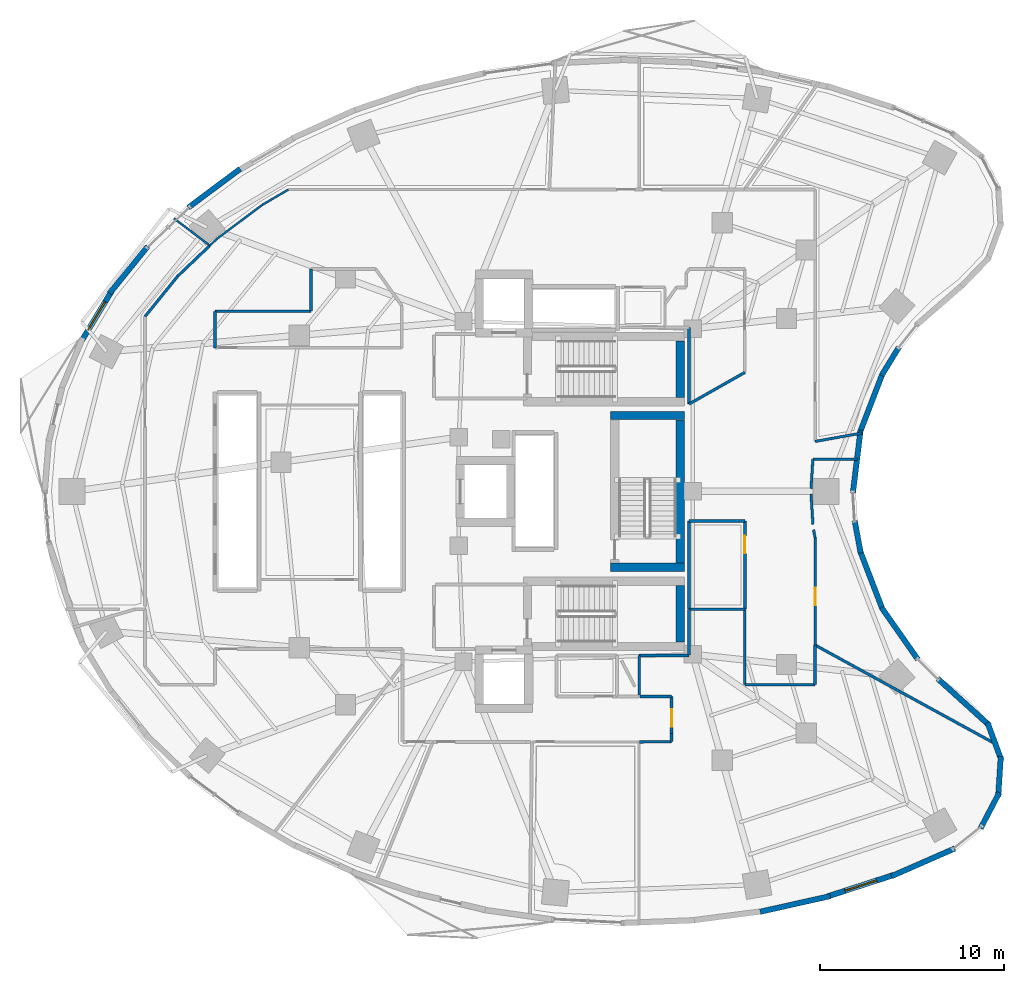
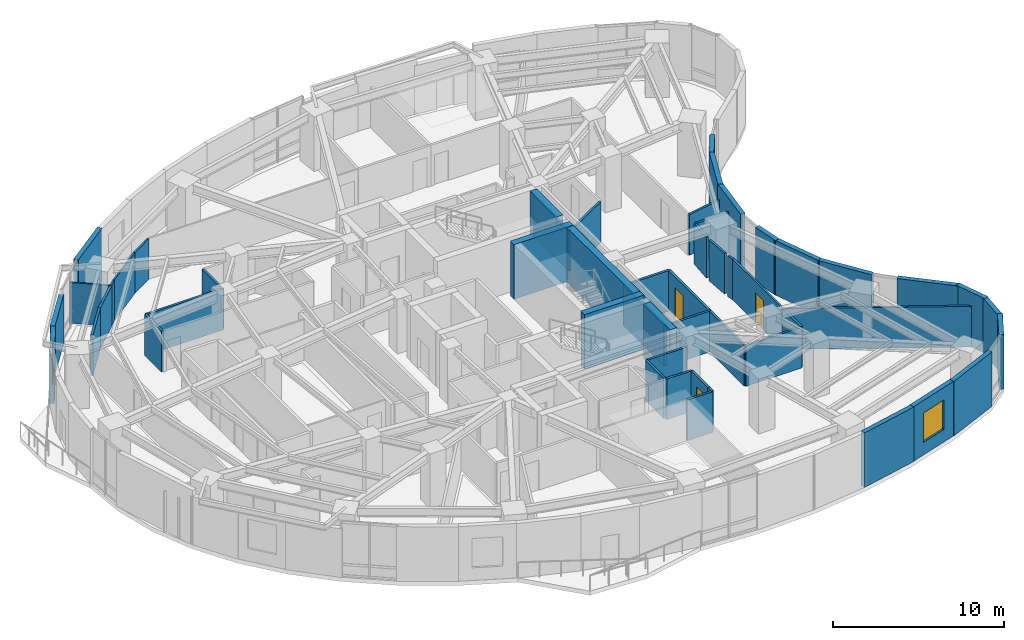
# One storey, part 10 of 15: 53 walls, 3 doors, 2 windows, 5 openings.
"""IFC4 building model written with IfcOpenShell, lengths in metres."""

from ifc_helpers import new_model, si_unit, direction, frame, frame_2d, origin, place, context, subcontext, project, spatial, rectangle, extrude, material, layer, layer_set, type_object, element, fill, save


model = new_model("IFC4")

# Units and contexts
model_context = context("Model", 3, precision=1e-05, world=origin(), true_north=direction((0.0, 1.0)))
body_context = subcontext(model_context, "Body", "Model", "MODEL_VIEW")
ifc_project = project(units=[si_unit("LENGTHUNIT", "METRE"), si_unit("AREAUNIT", "SQUARE_METRE"), si_unit("VOLUMEUNIT", "CUBIC_METRE"), si_unit("PLANEANGLEUNIT", "RADIAN"), si_unit("MASSUNIT", "GRAM", prefix="KILO")], contexts=[model_context])

# Site, building, storey
site_placement = place(None, origin())
site = spatial("IfcSite", under=ifc_project, at=site_placement, CompositionType="ELEMENT")
building_placement = place(site_placement, origin())
building = spatial("IfcBuilding", under=site, at=building_placement, Name="Korentha Bioscience Tower", CompositionType="ELEMENT")
storey_placement = place(building_placement, frame((0.0, 0.0, 42.60009765625)))
storey = spatial("IfcBuildingStorey", under=building, at=storey_placement, Name="L09", CompositionType="ELEMENT", Elevation=42.60009765625)

# Wall, opening, door
ifc_material_1 = material(Name="Double-Stud Acoustic Gypsum", Category="gypsum")
ifc_layer_1 = layer(ifc_material_1, 0.14990234375, Name="Double-Stud Acoustic Gypsum")
ifc_layer_set_1 = layer_set([ifc_layer_1], Name="Double-Stud Acoustic Gypsum (IW-L150)")
wall_type_1 = type_object("IfcWallType", Name="Acoustic Laboratory Partition Wall 150", PredefinedType="PARTITIONING", material=ifc_layer_set_1)
wall_1_placement = place(storey_placement, frame((36.409912109375, 13.85009765625, 0.0), z_axis=(0.0, 0.0, 1.0), x_axis=(0.0, 1.0, 0.0)))
wall_1 = element("IfcWall", 1, at=wall_1_placement, inside=storey, type_object=wall_type_1, Name="L09 Researchers' Wellness Quiet Room 06 Entrance Wall", PredefinedType="PARTITIONING", context=body_context, shape_type="SweptSolid", body=[
    extrude(rectangle(XDim=2.0, YDim=0.14990234375, at=frame_2d((1.0, 0.0))), origin(), (0.0, 0.0, 1.0), 2.909912109375),
])
opening_1_placement = place(wall_1_placement, frame((0.37451171875, 0.0, 0.0)))
opening_1 = element("IfcOpeningElement", 2, at=opening_1_placement, cuts=wall_1, Name="Opening ID-10L", PredefinedType="OPENING", context=body_context, shape_type="SweptSolid", body=[
    extrude(rectangle(XDim=0.949951171875, YDim=2.14990234375, at=frame_2d((0.47509765625, 1.074951171875))), frame((0.0, 0.08984375, 0.0), z_axis=(0.0, -1.0, 0.0), x_axis=(1.0, 0.0, 0.0)), (0.0, 0.0, 1.0), 0.1796875),
])
ifc_material_2 = material(Name="Phenolic Laminate Timber Core", Category="wood")
door_type_1 = type_object("IfcDoorType", Name="Laboratory Single Leaf Door 950x2150 Left", OperationType="SINGLE_SWING_LEFT", PredefinedType="DOOR", material=ifc_material_2)
door_1_placement = place(opening_1_placement, origin())
door_1 = element("IfcDoor", 3, at=door_1_placement, inside=storey, type_object=door_type_1, Name="L09 Researchers' Wellness Quiet Room 06 Door", OperationType="SINGLE_SWING_LEFT", OverallHeight=2.14990234375, OverallWidth=0.949951171875, PredefinedType="DOOR", context=body_context, shape_type="SweptSolid", body=[
    extrude(rectangle(XDim=0.949951171875, YDim=2.14990234375, at=frame_2d((0.47509765625, 1.074951171875))), frame((0.0, 0.02490234375, 0.0), z_axis=(0.0, -1.0, 0.0), x_axis=(1.0, 0.0, 0.0)), (0.0, 0.0, 1.0), 0.050048828125),
])
fill(opening_1, door_1)

# Walls
wall_2_placement = place(storey_placement, frame((34.652099609375, 15.94970703125, 0.0), z_axis=(0.0, 0.0, 1.0), x_axis=(0.0, 1.0, 0.0)))
element("IfcWall", 4, at=wall_2_placement, inside=storey, type_object=wall_type_1, Name="L09 Interior Partition 037", PredefinedType="PARTITIONING", context=body_context, shape_type="SweptSolid", body=[
    extrude(rectangle(XDim=2.140380859375, YDim=0.14990234375, at=frame_2d((1.0703125, 0.0))), origin(), (0.0, 0.0, 1.0), 2.909912109375),
])
wall_3_placement = place(storey_placement, frame((34.652099609375, 18.090087890625, 0.0), z_axis=(0.0, 0.0, 1.0), x_axis=(1.0, 0.0, 0.0)))
element("IfcWall", 5, at=wall_3_placement, inside=storey, type_object=wall_type_1, Name="L09 Interior Partition 038", PredefinedType="PARTITIONING", context=body_context, shape_type="SweptSolid", body=[
    extrude(rectangle(XDim=2.697998046875, YDim=0.14990234375, at=frame_2d((1.34912109375, 0.0))), origin(), (0.0, 0.0, 1.0), 2.909912109375),
])
wall_4_placement = place(storey_placement, frame((37.360107421875, 18.10009765625, 0.0), z_axis=(0.0, 0.0, 1.0), x_axis=(0.0, 1.0, 0.0)))
element("IfcWall", 6, at=wall_4_placement, inside=storey, type_object=wall_type_1, Name="L09 Interior Partition 039", PredefinedType="PARTITIONING", context=body_context, shape_type="SweptSolid", body=[
    extrude(rectangle(XDim=2.497802734375, YDim=0.14990234375, at=frame_2d((1.2490234375, 0.0))), origin(), (0.0, 0.0, 1.0), 2.909912109375),
])
wall_5_placement = place(storey_placement, frame((37.360107421875, 20.597900390625, 0.0), z_axis=(0.0, 0.0, 1.0), x_axis=(1.0, 0.0, 0.0)))
element("IfcWall", 7, at=wall_5_placement, inside=storey, type_object=wall_type_1, Name="L09 Interior Partition 040", PredefinedType="PARTITIONING", context=body_context, shape_type="SweptSolid", body=[
    extrude(rectangle(XDim=3.02978515625, YDim=0.14990234375, at=frame_2d((1.514892578125, 0.0))), origin(), (0.0, 0.0, 1.0), 2.909912109375),
])
wall_6_placement = place(storey_placement, frame((40.389892578125, 20.597900390625, 0.0), z_axis=(0.0, 0.0, 1.0), x_axis=(0.0, -1.0, 0.0)))
element("IfcWall", 8, at=wall_6_placement, inside=storey, type_object=wall_type_1, Name="L09 Interior Partition 041", PredefinedType="PARTITIONING", context=body_context, shape_type="SweptSolid", body=[
    extrude(rectangle(XDim=4.097900390625, YDim=0.14990234375, at=frame_2d((2.048828125, 0.0))), origin(), (0.0, 0.0, 1.0), 2.909912109375),
])
wall_7_placement = place(storey_placement, frame((40.39990234375, 16.489990234375, 0.0), z_axis=(0.0, 0.0, 1.0), x_axis=(1.0, 0.0, 0.0)))
element("IfcWall", 9, at=wall_7_placement, inside=storey, type_object=wall_type_1, Name="L09 Interior Partition 042", PredefinedType="PARTITIONING", context=body_context, shape_type="SweptSolid", body=[
    extrude(rectangle(XDim=3.800048828125, YDim=0.14990234375, at=frame_2d((1.89990234375, 0.0))), origin(), (0.0, 0.0, 1.0), 2.909912109375),
])
wall_8_placement = place(storey_placement, frame((44.2099609375, 16.5, 0.0), z_axis=(0.0, 0.0, 1.0), x_axis=(0.0, 1.0, 0.0)))
element("IfcWall", 10, at=wall_8_placement, inside=storey, type_object=wall_type_1, Name="L09 Interior Partition 043", PredefinedType="PARTITIONING", context=body_context, shape_type="SweptSolid", body=[
    extrude(rectangle(XDim=2.151123046875, YDim=0.14990234375, at=frame_2d((1.07568359375, 0.0))), origin(), (0.0, 0.0, 1.0), 2.909912109375),
])
wall_9_placement = place(storey_placement, frame((44.2099609375, 18.651123046875, 0.0), z_axis=(0.0, 0.0, 1.0), x_axis=(0.877020479267, -0.480452993483, 0.0)))
element("IfcWall", 11, at=wall_9_placement, inside=storey, type_object=wall_type_1, Name="L09 Interior Partition 044", PredefinedType="PARTITIONING", context=body_context, shape_type="SweptSolid", body=[
    extrude(rectangle(XDim=11.2138671875, YDim=0.14990234375, at=frame_2d((5.60693359375, 0.0))), origin(), (0.0, 0.0, 1.0), 2.909912109375),
])
wall_10_placement = place(storey_placement, frame((34.657958984375, 13.389892578125, 0.0), z_axis=(0.0, 0.0, 1.0), x_axis=(0.999983490307, 0.005746226083, 0.0)))
element("IfcWall", 12, at=wall_10_placement, inside=storey, type_object=wall_type_1, Name="L09 Interior Partition 045", PredefinedType="PARTITIONING", context=body_context, shape_type="SweptSolid", body=[
    extrude(rectangle(XDim=1.741943359375, YDim=0.14990234375, at=frame_2d((0.87109375, 0.0))), origin(), (0.0, 0.0, 1.0), 2.909912109375),
])
wall_11_placement = place(storey_placement, frame((36.39990234375, 13.39990234375, 0.0), z_axis=(0.0, 0.0, 1.0), x_axis=(0.0, 1.0, 0.0)))
element("IfcWall", 13, at=wall_11_placement, inside=storey, type_object=wall_type_1, Name="L09 Interior Partition 046", PredefinedType="PARTITIONING", context=body_context, shape_type="SweptSolid", body=[
    extrude(rectangle(XDim=0.440185546875, YDim=0.14990234375, at=frame_2d((0.22021484375, 0.0))), origin(), (0.0, 0.0, 1.0), 2.909912109375),
])
wall_12_placement = place(storey_placement, frame((36.39990234375, 15.860107421875, 0.0), z_axis=(0.0, 0.0, 1.0), x_axis=(-1.0, 0.0, 0.0)))
element("IfcWall", 14, at=wall_12_placement, inside=storey, type_object=wall_type_1, Name="L09 Interior Partition 048", PredefinedType="PARTITIONING", context=body_context, shape_type="SweptSolid", body=[
    extrude(rectangle(XDim=1.705810546875, YDim=0.14990234375, at=frame_2d((0.85302734375, 0.0))), origin(), (0.0, 0.0, 1.0), 2.909912109375),
])
wall_13_placement = place(storey_placement, frame((40.389892578125, 33.468994140625, 0.0), z_axis=(0.0, 0.0, 1.0), x_axis=(-0.870092348199, -0.492888735523, 0.0)))
element("IfcWall", 15, at=wall_13_placement, inside=storey, type_object=wall_type_1, Name="L09 Interior Partition 064", PredefinedType="PARTITIONING", context=body_context, shape_type="SweptSolid", body=[
    extrude(rectangle(XDim=3.482177734375, YDim=0.14990234375, at=frame_2d((1.7412109375, 0.0))), origin(), (0.0, 0.0, 1.0), 2.909912109375),
])
wall_14_placement = place(storey_placement, frame((37.360107421875, 31.752685546875, 0.0), z_axis=(0.0, 0.0, 1.0), x_axis=(0.0, 1.0, 0.0)))
element("IfcWall", 16, at=wall_14_placement, inside=storey, type_object=wall_type_1, Name="L09 Interior Partition 065", PredefinedType="PARTITIONING", context=body_context, shape_type="SweptSolid", body=[
    extrude(rectangle(XDim=4.147216796875, YDim=0.14990234375, at=frame_2d((2.07373046875, 0.0))), origin(), (0.0, 0.0, 1.0), 2.909912109375),
])
wall_15_placement = place(storey_placement, frame((11.590087890625, 34.81005859375, 0.0), z_axis=(0.0, 0.0, 1.0), x_axis=(0.0, 1.0, 0.0)))
element("IfcWall", 17, at=wall_15_placement, inside=storey, type_object=wall_type_1, Name="L09 Interior Partition 075", PredefinedType="PARTITIONING", context=body_context, shape_type="SweptSolid", body=[
    extrude(rectangle(XDim=1.97998046875, YDim=0.14990234375, at=frame_2d((0.989990234375, 0.0))), origin(), (0.0, 0.0, 1.0), 2.909912109375),
])
wall_16_placement = place(storey_placement, frame((11.590087890625, 36.7900390625, 0.0), z_axis=(0.0, 0.0, 1.0), x_axis=(1.0, 0.0, 0.0)))
element("IfcWall", 18, at=wall_16_placement, inside=storey, type_object=wall_type_1, Name="L09 Interior Partition 076", PredefinedType="PARTITIONING", context=body_context, shape_type="SweptSolid", body=[
    extrude(rectangle(XDim=5.2099609375, YDim=0.14990234375, at=frame_2d((2.60498046875, 0.0))), origin(), (0.0, 0.0, 1.0), 2.909912109375),
])
wall_17_placement = place(storey_placement, frame((16.81005859375, 36.800048828125, 0.0), z_axis=(0.0, 0.0, 1.0), x_axis=(0.0, 1.0, 0.0)))
element("IfcWall", 19, at=wall_17_placement, inside=storey, type_object=wall_type_1, Name="L09 Interior Partition 077", PredefinedType="PARTITIONING", context=body_context, shape_type="SweptSolid", body=[
    extrude(rectangle(XDim=2.2900390625, YDim=0.14990234375, at=frame_2d((1.14501953125, 0.0))), origin(), (0.0, 0.0, 1.0), 2.909912109375),
])
wall_18_placement = place(storey_placement, frame((11.306640625, 40.3583984375, 0.0), z_axis=(0.0, 0.0, 1.0), x_axis=(-0.723655021688, -0.690161872017, 0.0)))
element("IfcWall", 20, at=wall_18_placement, inside=storey, type_object=wall_type_1, Name="L09 Interior Partition 080", PredefinedType="PARTITIONING", context=body_context, shape_type="SweptSolid", body=[
    extrude(rectangle(XDim=2.405517578125, YDim=0.14990234375, at=frame_2d((1.20263671875, 0.0))), origin(), (0.0, 0.0, 1.0), 2.909912109375),
])
wall_19_placement = place(storey_placement, frame((9.565185546875, 38.697265625, 0.0), z_axis=(0.0, 0.0, 1.0), x_axis=(-0.629270515505, -0.777186347227, 0.0)))
element("IfcWall", 21, at=wall_19_placement, inside=storey, type_object=wall_type_1, Name="L09 Interior Partition 081", PredefinedType="PARTITIONING", context=body_context, shape_type="SweptSolid", body=[
    extrude(rectangle(XDim=2.8173828125, YDim=0.14990234375, at=frame_2d((1.40869140625, 0.0))), origin(), (0.0, 0.0, 1.0), 2.909912109375),
])

# Wall, opening, door
ifc_material_3 = material(Name="Insulated Aluminium Honeycomb Panel", Category="aluminium")
ifc_layer_2 = layer(ifc_material_3, 0.139892578125, Name="Insulated Aluminium Honeycomb Panel")
ifc_layer_set_2 = layer_set([ifc_layer_2], Name="Insulated Aluminium Honeycomb Panel (IW-F60)")
wall_type_2 = type_object("IfcWallType", Name="Cleanroom Flush Metal Panel Partition 140", PredefinedType="PARTITIONING", material=ifc_layer_set_2)
wall_20_placement = place(storey_placement, frame((44.2099609375, 18.6611328125, 0.0), z_axis=(0.0, 0.0, 1.0), x_axis=(0.0, 1.0, 0.0)))
wall_20 = element("IfcWall", 22, at=wall_20_placement, inside=storey, type_object=wall_type_2, Name="L09 BSL-2 Cell Culture Cleanroom Laboratory 08 Entrance Wall", PredefinedType="PARTITIONING", context=body_context, shape_type="SweptSolid", body=[
    extrude(rectangle(XDim=5.809326171875, YDim=0.139892578125, at=frame_2d((2.90478515625, 0.0))), origin(), (0.0, 0.0, 1.0), 2.909912109375),
])
opening_2_placement = place(wall_20_placement, frame((2.160888671875, 0.0, 0.0)))
opening_2 = element("IfcOpeningElement", 23, at=opening_2_placement, cuts=wall_20, Name="Opening ID-10L", PredefinedType="OPENING", context=body_context, shape_type="SweptSolid", body=[
    extrude(rectangle(XDim=0.949951171875, YDim=2.14990234375, at=frame_2d((0.47509765625, 1.074951171875))), frame((0.0, 0.0849609375, 0.0), z_axis=(0.0, -1.0, 0.0), x_axis=(1.0, 0.0, 0.0)), (0.0, 0.0, 1.0), 0.169677734375),
])
door_2_placement = place(opening_2_placement, origin())
door_2 = element("IfcDoor", 24, at=door_2_placement, inside=storey, type_object=door_type_1, Name="L09 BSL-2 Cell Culture Cleanroom Laboratory 08 Door", OperationType="SINGLE_SWING_LEFT", OverallHeight=2.14990234375, OverallWidth=0.949951171875, PredefinedType="DOOR", context=body_context, shape_type="SweptSolid", body=[
    extrude(rectangle(XDim=0.949951171875, YDim=2.14990234375, at=frame_2d((0.47509765625, 1.074951171875))), frame((0.0, 0.02490234375, 0.0), z_axis=(0.0, -1.0, 0.0), x_axis=(1.0, 0.0, 0.0)), (0.0, 0.0, 1.0), 0.050048828125),
])
fill(opening_2, door_2)

# Walls
wall_21_placement = place(storey_placement, frame((44.209716796875, 24.47216796875, 0.0), z_axis=(0.0, 0.0, 1.0), x_axis=(-0.181936414242, 0.983310297502, 0.0)))
element("IfcWall", 25, at=wall_21_placement, inside=storey, type_object=wall_type_2, Name="L09 Interior Partition 053", PredefinedType="PARTITIONING", context=body_context, shape_type="SweptSolid", body=[
    extrude(rectangle(XDim=0.45751953125, YDim=0.139892578125, at=frame_2d((0.228759765625, 0.0))), origin(), (0.0, 0.0, 1.0), 2.909912109375),
])
wall_22_placement = place(storey_placement, frame((44.090087890625, 25.217041015625, 0.0), z_axis=(0.0, 0.0, 1.0), x_axis=(-0.060976688407, 0.998139190429, 0.0)))
element("IfcWall", 26, at=wall_22_placement, inside=storey, type_object=wall_type_2, Name="L09 Interior Partition 054", PredefinedType="PARTITIONING", context=body_context, shape_type="SweptSolid", body=[
    extrude(rectangle(XDim=1.637451171875, YDim=0.139892578125, at=frame_2d((0.81884765625, 0.0))), origin(), (0.0, 0.0, 1.0), 2.909912109375),
])
wall_23_placement = place(storey_placement, frame((43.990234375, 27.1484375, 0.0), z_axis=(0.0, 0.0, 1.0), x_axis=(0.061088381665, 0.998132360775, 0.0)))
element("IfcWall", 27, at=wall_23_placement, inside=storey, type_object=wall_type_2, Name="L09 Interior Partition 055", PredefinedType="PARTITIONING", context=body_context, shape_type="SweptSolid", body=[
    extrude(rectangle(XDim=1.6025390625, YDim=0.139892578125, at=frame_2d((0.80126953125, 0.0))), origin(), (0.0, 0.0, 1.0), 2.909912109375),
])
wall_24_placement = place(storey_placement, frame((44.088134765625, 28.748046875, 0.0), z_axis=(0.0, 0.0, 1.0), x_axis=(1.0, 0.0, 0.0)))
element("IfcWall", 28, at=wall_24_placement, inside=storey, type_object=wall_type_2, Name="L09 Interior Partition 056", PredefinedType="PARTITIONING", context=body_context, shape_type="SweptSolid", body=[
    extrude(rectangle(XDim=2.423583984375, YDim=0.139892578125, at=frame_2d((1.2119140625, 0.0))), origin(), (0.0, 0.0, 1.0), 2.909912109375),
])
wall_25_placement = place(storey_placement, frame((46.76318359375, 30.17529296875, 0.0), z_axis=(0.0, 0.0, 1.0), x_axis=(-0.98446827517, -0.175562567718, 0.0)))
element("IfcWall", 29, at=wall_25_placement, inside=storey, type_object=wall_type_2, Name="L09 Interior Partition 057", PredefinedType="PARTITIONING", context=body_context, shape_type="SweptSolid", body=[
    extrude(rectangle(XDim=2.593505859375, YDim=0.139892578125, at=frame_2d((1.296875, 0.0))), origin(), (0.0, 0.0, 1.0), 2.909912109375),
])
ifc_material_4 = material(Name="Fire-Rated Framed Glass", Category="glass")
ifc_layer_3 = layer(ifc_material_4, 0.110107421875, Name="Fire-Rated Framed Glass")
ifc_layer_set_3 = layer_set([ifc_layer_3], Name="Fire-Rated Framed Glass (IW-G110)")
wall_type_3 = type_object("IfcWallType", Name="Demountable Glazed Office Partition 110", PredefinedType="MOVABLE", material=ifc_layer_set_3)
wall_26_placement = place(storey_placement, frame((15.585693359375, 43.40869140625, 0.0), z_axis=(0.0, 0.0, 1.0), x_axis=(-0.862446636904, -0.506148000582, 0.0)))
element("IfcWall", 30, at=wall_26_placement, inside=storey, type_object=wall_type_3, Name="L09 Interior Partition 070", PredefinedType="MOVABLE", context=body_context, shape_type="SweptSolid", body=[
    extrude(rectangle(XDim=1.652099609375, YDim=0.110107421875, at=frame_2d((0.826171875, 0.0))), origin(), (0.0, 0.0, 1.0), 2.909912109375),
])
wall_27_placement = place(storey_placement, frame((14.159912109375, 42.57177734375, 0.0), z_axis=(0.0, 0.0, 1.0), x_axis=(-0.800808090092, -0.598921032227, 0.0)))
element("IfcWall", 31, at=wall_27_placement, inside=storey, type_object=wall_type_3, Name="L09 Interior Partition 071", PredefinedType="MOVABLE", context=body_context, shape_type="SweptSolid", body=[
    extrude(rectangle(XDim=3.078857421875, YDim=0.110107421875, at=frame_2d((1.53955078125, 0.0))), origin(), (0.0, 0.0, 1.0), 2.909912109375),
])
wall_28_placement = place(storey_placement, frame((11.693359375, 40.72705078125, 0.0), z_axis=(0.0, 0.0, 1.0), x_axis=(-0.72367263626, -0.690143402148, 0.0)))
element("IfcWall", 32, at=wall_28_placement, inside=storey, type_object=wall_type_3, Name="L09 Interior Partition 072", PredefinedType="MOVABLE", context=body_context, shape_type="SweptSolid", body=[
    extrude(rectangle(XDim=0.524169921875, YDim=0.110107421875, at=frame_2d((0.26220703125, 0.0))), origin(), (0.0, 0.0, 1.0), 2.909912109375),
])
wall_29_placement = place(storey_placement, frame((11.31396484375, 40.365234375, 0.0), z_axis=(0.0, 0.0, 1.0), x_axis=(-0.797445450475, 0.603391045274, 0.0)))
element("IfcWall", 33, at=wall_29_placement, inside=storey, type_object=wall_type_3, Name="L09 Interior Partition 073", PredefinedType="MOVABLE", context=body_context, shape_type="SweptSolid", body=[
    extrude(rectangle(XDim=2.438232421875, YDim=0.110107421875, at=frame_2d((1.21923828125, 0.0))), origin(), (0.0, 0.0, 1.0), 2.909912109375),
])

# Wall, opening, door
ifc_material_5 = material(Name="Gypsum-Clad Steel Stud", Category="steel")
ifc_layer_4 = layer(ifc_material_5, 0.159912109375, Name="Gypsum-Clad Steel Stud")
ifc_layer_set_4 = layer_set([ifc_layer_4], Name="Gypsum-Clad Steel Stud (IW-C160)")
wall_type_4 = type_object("IfcWallType", Name="Fire-Rated Corridor Partition Wall 160", PredefinedType="PARTITIONING", material=ifc_layer_set_4)
wall_30_placement = place(storey_placement, frame((40.389892578125, 25.389892578125, 0.0), z_axis=(0.0, 0.0, 1.0), x_axis=(0.0, -1.0, 0.0)))
wall_30 = element("IfcWall", 34, at=wall_30_placement, inside=storey, type_object=wall_type_4, Name="L09 Cryogenic Dewar Supply Store 07 Entrance Wall", PredefinedType="PARTITIONING", context=body_context, shape_type="SweptSolid", body=[
    extrude(rectangle(XDim=4.781982421875, YDim=0.159912109375, at=frame_2d((2.39111328125, 0.0))), origin(), (0.0, 0.0, 1.0), 2.909912109375),
])
opening_3_placement = place(wall_30_placement, frame((0.80419921875, 0.0, 0.0)))
opening_3 = element("IfcOpeningElement", 35, at=opening_3_placement, cuts=wall_30, Name="Opening ID-10R", PredefinedType="OPENING", context=body_context, shape_type="SweptSolid", body=[
    extrude(rectangle(XDim=0.949951171875, YDim=2.14990234375, at=frame_2d((0.47509765625, 1.074951171875))), frame((0.0, 0.0947265625, 0.0), z_axis=(0.0, -1.0, 0.0), x_axis=(1.0, 0.0, 0.0)), (0.0, 0.0, 1.0), 0.189697265625),
])
door_type_2 = type_object("IfcDoorType", Name="Laboratory Single Leaf Door 950x2150 Right", OperationType="SINGLE_SWING_RIGHT", PredefinedType="DOOR", material=ifc_material_2)
door_3_placement = place(opening_3_placement, origin())
door_3 = element("IfcDoor", 36, at=door_3_placement, inside=storey, type_object=door_type_2, Name="L09 Cryogenic Dewar Supply Store 07 Door", OperationType="SINGLE_SWING_RIGHT", OverallHeight=2.14990234375, OverallWidth=0.949951171875, PredefinedType="DOOR", context=body_context, shape_type="SweptSolid", body=[
    extrude(rectangle(XDim=0.949951171875, YDim=2.14990234375, at=frame_2d((0.47509765625, 1.074951171875))), frame((0.0, 0.02490234375, 0.0), z_axis=(0.0, -1.0, 0.0), x_axis=(1.0, 0.0, 0.0)), (0.0, 0.0, 1.0), 0.050048828125),
])
fill(opening_3, door_3)

# Walls
wall_31_placement = place(storey_placement, frame((37.360107421875, 20.60791015625, 0.0), z_axis=(0.0, 0.0, 1.0), x_axis=(0.0, 1.0, 0.0)))
element("IfcWall", 37, at=wall_31_placement, inside=storey, type_object=wall_type_4, Name="L09 Interior Partition 051", PredefinedType="PARTITIONING", context=body_context, shape_type="SweptSolid", body=[
    extrude(rectangle(XDim=4.781982421875, YDim=0.159912109375, at=frame_2d((2.39111328125, 0.0))), origin(), (0.0, 0.0, 1.0), 2.909912109375),
])
wall_32_placement = place(storey_placement, frame((37.360107421875, 25.389892578125, 0.0), z_axis=(0.0, 0.0, 1.0), x_axis=(1.0, 0.0, 0.0)))
element("IfcWall", 38, at=wall_32_placement, inside=storey, type_object=wall_type_4, Name="L09 Interior Partition 052", PredefinedType="PARTITIONING", context=body_context, shape_type="SweptSolid", body=[
    extrude(rectangle(XDim=3.02978515625, YDim=0.159912109375, at=frame_2d((1.514892578125, 0.0))), origin(), (0.0, 0.0, 1.0), 2.909912109375),
])

# Wall, opening, window
ifc_material_6 = material(Name="Honed Limestone Precast Concrete C40", Category="masonry")
ifc_layer_5 = layer(ifc_material_6, 0.300048828125, Name="Honed Limestone Precast Concrete C40")
ifc_layer_set_5 = layer_set([ifc_layer_5], Name="Honed Limestone Precast Concrete C40 (EW-ST300)")
wall_type_5 = type_object("IfcWallType", Name="Honed Limestone Cavity Spandrel Wall 300", PredefinedType="STANDARD", material=ifc_layer_set_5)
wall_33_placement = place(storey_placement, frame((5.975341796875, 37.886474609375, 0.0), z_axis=(0.0, 0.0, 1.0), x_axis=(-0.516447962267, -0.856318575222, 0.0)))
wall_33 = element("IfcWall", 39, at=wall_33_placement, inside=storey, type_object=wall_type_5, Name="L09 Honed Limestone Spandrel Wall 15", PredefinedType="STANDARD", context=body_context, shape_type="SweptSolid", body=[
    extrude(rectangle(XDim=3.142822265625, YDim=0.300048828125, at=frame_2d((1.5712890625, 0.0))), origin(), (0.0, 0.0, 1.0), 3.469970703125),
])
opening_4_placement = place(wall_33_placement, frame((0.67138671875, 0.0, 0.89990234375)))
opening_4 = element("IfcOpeningElement", 40, at=opening_4_placement, cuts=wall_33, Name="Opening WN-01", PredefinedType="OPENING", context=body_context, shape_type="SweptSolid", body=[
    extrude(rectangle(XDim=1.800048828125, YDim=2.10009765625, at=frame_2d((0.89990234375, 1.050048828125))), frame((0.0, 0.1650390625, 0.0), z_axis=(0.0, -1.0, 0.0), x_axis=(1.0, 0.0, 0.0)), (0.0, 0.0, 1.0), 0.329833984375),
])
ifc_material_7 = material(Name="Thermally Broken Aluminium Triple Glazing", Category="aluminium")
window_type = type_object("IfcWindowType", Name="Triple-Glazed Fixed Bioscience Window 1800x2100", PartitioningType="SINGLE_PANEL", PredefinedType="WINDOW", material=ifc_material_7)
window_1_placement = place(opening_4_placement, origin())
window_1 = element("IfcWindow", 41, at=window_1_placement, inside=storey, type_object=window_type, Name="L09 Facade Window 15", OverallHeight=2.10009765625, OverallWidth=1.800048828125, PartitioningType="SINGLE_PANEL", PredefinedType="WINDOW", context=body_context, shape_type="SweptSolid", body=[
    extrude(rectangle(XDim=1.800048828125, YDim=2.10009765625, at=frame_2d((0.89990234375, 1.050048828125))), frame((0.0, 0.030029296875, 0.0), z_axis=(0.0, -1.0, 0.0), x_axis=(1.0, 0.0, 0.0)), (0.0, 0.0, 1.0), 0.06005859375),
])
fill(opening_4, window_1)

wall_34_placement = place(storey_placement, frame((44.885498046875, 4.98828125, 0.0), z_axis=(0.0, 0.0, 1.0), x_axis=(0.950958033078, 0.30931993037, 0.0)))
wall_34 = element("IfcWall", 42, at=wall_34_placement, inside=storey, type_object=wall_type_5, Name="L09 Honed Limestone Spandrel Wall 35", PredefinedType="STANDARD", context=body_context, shape_type="SweptSolid", body=[
    extrude(rectangle(XDim=3.80029296875, YDim=0.300048828125, at=frame_2d((1.900146484375, 0.0))), origin(), (0.0, 0.0, 1.0), 3.89990234375),
])
opening_5_placement = place(wall_34_placement, frame((1.0, 0.0, 0.89990234375)))
opening_5 = element("IfcOpeningElement", 43, at=opening_5_placement, cuts=wall_34, Name="Opening WN-01", PredefinedType="OPENING", context=body_context, shape_type="SweptSolid", body=[
    extrude(rectangle(XDim=1.800048828125, YDim=2.10009765625, at=frame_2d((0.89990234375, 1.050048828125))), frame((0.0, 0.1650390625, 0.0), z_axis=(0.0, -1.0, 0.0), x_axis=(1.0, 0.0, 0.0)), (0.0, 0.0, 1.0), 0.329833984375),
])
window_2_placement = place(opening_5_placement, origin())
window_2 = element("IfcWindow", 44, at=window_2_placement, inside=storey, type_object=window_type, Name="L09 Facade Window 35", OverallHeight=2.10009765625, OverallWidth=1.800048828125, PartitioningType="SINGLE_PANEL", PredefinedType="WINDOW", context=body_context, shape_type="SweptSolid", body=[
    extrude(rectangle(XDim=1.800048828125, YDim=2.10009765625, at=frame_2d((0.89990234375, 1.050048828125))), frame((0.0, 0.030029296875, 0.0), z_axis=(0.0, -1.0, 0.0), x_axis=(1.0, 0.0, 0.0)), (0.0, 0.0, 1.0), 0.06005859375),
])
fill(opening_5, window_2)

# Walls
wall_35_placement = place(storey_placement, frame((12.96142578125, 44.53515625, 0.0), z_axis=(0.0, 0.0, 1.0), x_axis=(-0.800823020995, -0.598901067827, 0.0)))
element("IfcWall", 45, at=wall_35_placement, inside=storey, type_object=wall_type_5, Name="L09 Limestone Perimeter Closure Wall 12", PredefinedType="STANDARD", context=body_context, shape_type="SweptSolid", body=[
    extrude(rectangle(XDim=3.520751953125, YDim=0.300048828125, at=frame_2d((1.76025390625, 0.0))), origin(), (0.0, 0.0, 1.0), 3.89990234375),
])
wall_36_placement = place(storey_placement, frame((7.934326171875, 40.322509765625, 0.0), z_axis=(0.0, 0.0, 1.0), x_axis=(-0.629221727718, -0.777225847079, 0.0)))
element("IfcWall", 46, at=wall_36_placement, inside=storey, type_object=wall_type_5, Name="L09 Limestone Perimeter Closure Wall 14", PredefinedType="STANDARD", context=body_context, shape_type="SweptSolid", body=[
    extrude(rectangle(XDim=3.28759765625, YDim=0.300048828125, at=frame_2d((1.643798828125, 0.0))), origin(), (0.0, 0.0, 1.0), 3.469970703125),
])
wall_37_placement = place(storey_placement, frame((41.22509765625, 4.1552734375, 0.0), z_axis=(0.0, 0.0, 1.0), x_axis=(0.975868573345, 0.218358713032, 0.0)))
element("IfcWall", 47, at=wall_37_placement, inside=storey, type_object=wall_type_5, Name="L09 Limestone Perimeter Closure Wall 34", PredefinedType="STANDARD", context=body_context, shape_type="SweptSolid", body=[
    extrude(rectangle(XDim=3.90869140625, YDim=0.300048828125, at=frame_2d((1.954345703125, 0.0))), origin(), (0.0, 0.0, 1.0), 3.89990234375),
])
wall_38_placement = place(storey_placement, frame((48.3623046875, 6.089111328125, 0.0), z_axis=(0.0, 0.0, 1.0), x_axis=(0.915945168042, 0.401303437738, 0.0)))
element("IfcWall", 48, at=wall_38_placement, inside=storey, type_object=wall_type_5, Name="L09 Limestone Perimeter Closure Wall 36", PredefinedType="STANDARD", context=body_context, shape_type="SweptSolid", body=[
    extrude(rectangle(XDim=3.75244140625, YDim=0.300048828125, at=frame_2d((1.876220703125, 0.0))), origin(), (0.0, 0.0, 1.0), 3.89990234375),
])
wall_39_placement = place(storey_placement, frame((53.20751953125, 8.691650390625, 0.0), z_axis=(0.0, 0.0, 1.0), x_axis=(0.463035066673, 0.886339961319, 0.0)))
element("IfcWall", 49, at=wall_39_placement, inside=storey, type_object=wall_type_5, Name="L09 Limestone Perimeter Closure Wall 38", PredefinedType="STANDARD", context=body_context, shape_type="SweptSolid", body=[
    extrude(rectangle(XDim=2.1875, YDim=0.300048828125, at=frame_2d((1.09375, 0.0))), origin(), (0.0, 0.0, 1.0), 3.89990234375),
])
for number, where, z_axis, x_axis, name in (
    (50, (54.16259765625, 10.42431640625, 0.0), (0.0, 0.0, 1.0), (0.064615302336, 0.99791024782, 0.0), "L09 Limestone Perimeter Closure Wall 39"),
    (51, (54.334716796875, 12.39501953125, 0.0), (0.0, 0.0, 1.0), (-0.344939866054, 0.938624785954, 0.0), "L09 Limestone Perimeter Closure Wall 40"),
):
    element("IfcWall", number, at=place(storey_placement, frame(where, z_axis=z_axis, x_axis=x_axis)), inside=storey, type_object=wall_type_5, Name=name, PredefinedType="STANDARD", context=body_context, shape_type="SweptSolid", body=[
        extrude(rectangle(XDim=2.187744140625, YDim=0.300048828125, at=frame_2d((1.09375, 0.0))), origin(), (0.0, 0.0, 1.0), 3.89990234375),
    ])
wall_40_placement = place(storey_placement, frame((53.704345703125, 14.26416015625, 0.0), z_axis=(0.0, 0.0, 1.0), x_axis=(-0.74117794387, 0.671308614216, 0.0)))
element("IfcWall", 52, at=wall_40_placement, inside=storey, type_object=wall_type_5, Name="L09 Limestone Perimeter Closure Wall 41", PredefinedType="STANDARD", context=body_context, shape_type="SweptSolid", body=[
    extrude(rectangle(XDim=3.815673828125, YDim=0.300048828125, at=frame_2d((1.90771484375, 0.0))), origin(), (0.0, 0.0, 1.0), 3.89990234375),
])
wall_41_placement = place(storey_placement, frame((49.79248046875, 17.8779296875, 0.0), z_axis=(0.0, 0.0, 1.0), x_axis=(-0.573576992806, 0.819151654655, 0.0)))
element("IfcWall", 53, at=wall_41_placement, inside=storey, type_object=wall_type_5, Name="L09 Limestone Perimeter Closure Wall 44", PredefinedType="STANDARD", context=body_context, shape_type="SweptSolid", body=[
    extrude(rectangle(XDim=3.429931640625, YDim=0.300048828125, at=frame_2d((1.71484375, 0.0))), origin(), (0.0, 0.0, 1.0), 3.89990234375),
])
wall_42_placement = place(storey_placement, frame((47.8837890625, 20.577392578125, 0.0), z_axis=(0.0, 0.0, 1.0), x_axis=(-0.358344570513, 0.933589400531, 0.0)))
element("IfcWall", 54, at=wall_42_placement, inside=storey, type_object=wall_type_5, Name="L09 Limestone Perimeter Closure Wall 46", PredefinedType="STANDARD", context=body_context, shape_type="SweptSolid", body=[
    extrude(rectangle(XDim=3.4296875, YDim=0.300048828125, at=frame_2d((1.71484375, 0.0))), origin(), (0.0, 0.0, 1.0), 3.89990234375),
])
wall_43_placement = place(storey_placement, frame((46.691162109375, 23.650390625, 0.0), z_axis=(0.0, 0.0, 1.0), x_axis=(-0.182230271073, 0.983255881399, 0.0)))
element("IfcWall", 55, at=wall_43_placement, inside=storey, type_object=wall_type_5, Name="L09 Limestone Perimeter Closure Wall 48", PredefinedType="STANDARD", context=body_context, shape_type="SweptSolid", body=[
    extrude(rectangle(XDim=1.7978515625, YDim=0.300048828125, at=frame_2d((0.89892578125, 0.0))), origin(), (0.0, 0.0, 1.0), 3.89990234375),
])
for number, where, z_axis, x_axis, name in (
    (56, (46.26708984375, 26.937744140625, 0.0), (0.0, 0.0, 1.0), (0.121870386032, 0.992546023622, 0.0), "L09 Limestone Perimeter Closure Wall 50"),
    (57, (46.65478515625, 30.220703125, 0.0), (0.0, 0.0, 1.0), (0.358344570513, 0.933589400531, 0.0), "L09 Limestone Perimeter Closure Wall 52"),
):
    element("IfcWall", number, at=place(storey_placement, frame(where, z_axis=z_axis, x_axis=x_axis)), inside=storey, type_object=wall_type_5, Name=name, PredefinedType="STANDARD", context=body_context, shape_type="SweptSolid", body=[
        extrude(rectangle(XDim=3.4296875, YDim=0.300048828125, at=frame_2d((1.71484375, 0.0))), origin(), (0.0, 0.0, 1.0), 3.89990234375),
    ])
wall_44_placement = place(storey_placement, frame((47.82470703125, 33.302734375, 0.0), z_axis=(0.0, 0.0, 1.0), x_axis=(0.522520662875, 0.852626622191, 0.0)))
element("IfcWall", 58, at=wall_44_placement, inside=storey, type_object=wall_type_5, Name="L09 Limestone Perimeter Closure Wall 54", PredefinedType="STANDARD", context=body_context, shape_type="SweptSolid", body=[
    extrude(rectangle(XDim=1.7978515625, YDim=0.300048828125, at=frame_2d((0.89892578125, 0.0))), origin(), (0.0, 0.0, 1.0), 3.89990234375),
])
ifc_material_8 = material(Name="Concrete C80", Category="concrete")
ifc_layer_6 = layer(ifc_material_8, 0.449951171875, Name="Concrete C80")
ifc_layer_set_6 = layer_set([ifc_layer_6], Name="Concrete C80 (CW-C80)")
wall_type_6 = type_object("IfcWallType", Name="Lower Core Shear Wall 450", PredefinedType="SHEAR", material=ifc_layer_set_6)
for number, where, z_axis, x_axis, name in (
    (59, (36.875, 32.110107421875, 0.0), (0.0, 0.0, 1.0), (0.0, 1.0, 0.0), "L09 Core Shear Wall ST1-E"),
    (60, (36.875, 18.81005859375, 0.0), (0.0, 0.0, 1.0), (0.0, 1.0, 0.0), "L09 Core Shear Wall ST2-E"),
):
    element("IfcWall", number, at=place(storey_placement, frame(where, z_axis=z_axis, x_axis=x_axis)), inside=storey, type_object=wall_type_6, Name=name, PredefinedType="SHEAR", context=body_context, shape_type="SweptSolid", body=[
        extrude(rectangle(XDim=3.079833984375, YDim=0.449951171875, at=frame_2d((1.5400390625, 0.0))), origin(), (0.0, 0.0, 1.0), 3.89990234375),
    ])
for number, where, z_axis, x_axis, name in (
    (61, (33.10009765625, 31.125, 0.0), (0.0, 0.0, 1.0), (1.0, 0.0, 0.0), "L09 Core Shear Wall ST3-N"),
    (62, (33.10009765625, 22.875, 0.0), (0.0, 0.0, 1.0), (1.0, 0.0, 0.0), "L09 Core Shear Wall ST3-S"),
):
    element("IfcWall", number, at=place(storey_placement, frame(where, z_axis=z_axis, x_axis=x_axis)), inside=storey, type_object=wall_type_6, Name=name, PredefinedType="SHEAR", context=body_context, shape_type="SweptSolid", body=[
        extrude(rectangle(XDim=4.0, YDim=0.449951171875, at=frame_2d((2.0, 0.0))), origin(), (0.0, 0.0, 1.0), 3.89990234375),
    ])
wall_45_placement = place(storey_placement, frame((36.875, 23.110107421875, 0.0), z_axis=(0.0, 0.0, 1.0), x_axis=(0.0, 1.0, 0.0)))
element("IfcWall", 63, at=wall_45_placement, inside=storey, type_object=wall_type_6, Name="L09 Core Shear Wall ST3-E", PredefinedType="SHEAR", context=body_context, shape_type="SweptSolid", body=[
    extrude(rectangle(XDim=7.77978515625, YDim=0.449951171875, at=frame_2d((3.889892578125, 0.0))), origin(), (0.0, 0.0, 1.0), 3.89990234375),
])

save(model, "model.ifc")
